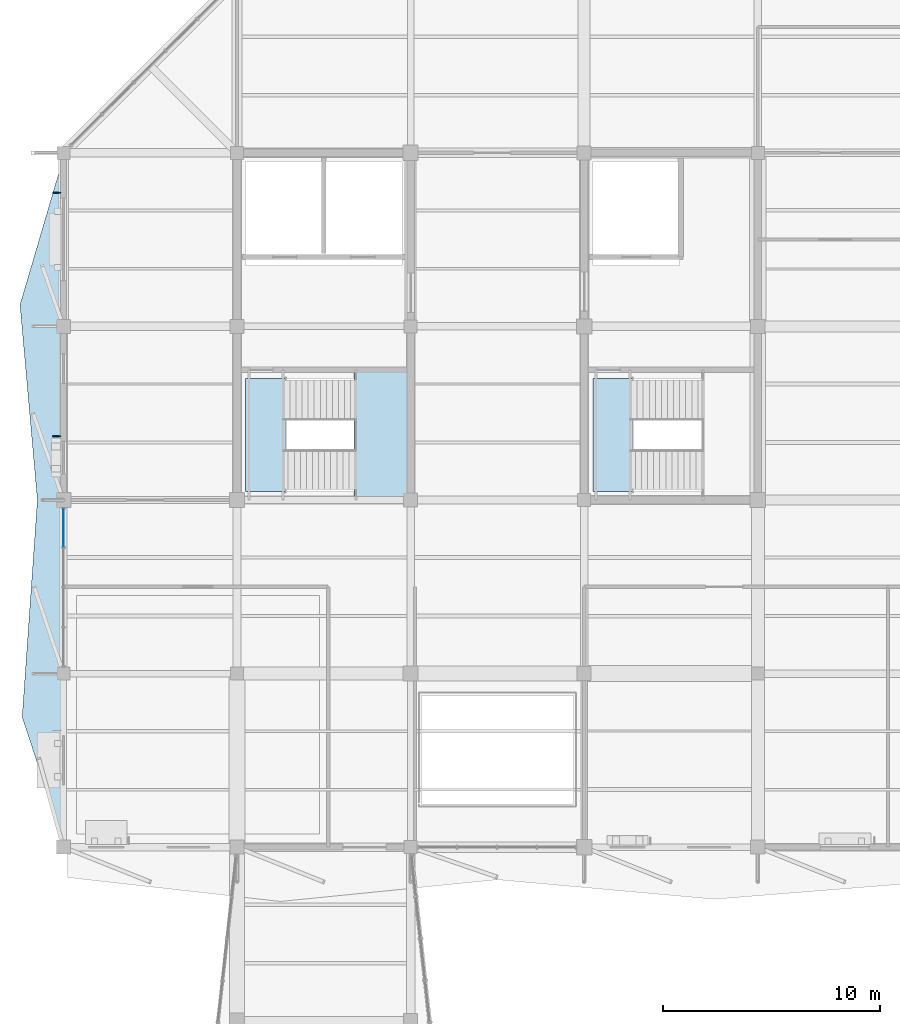
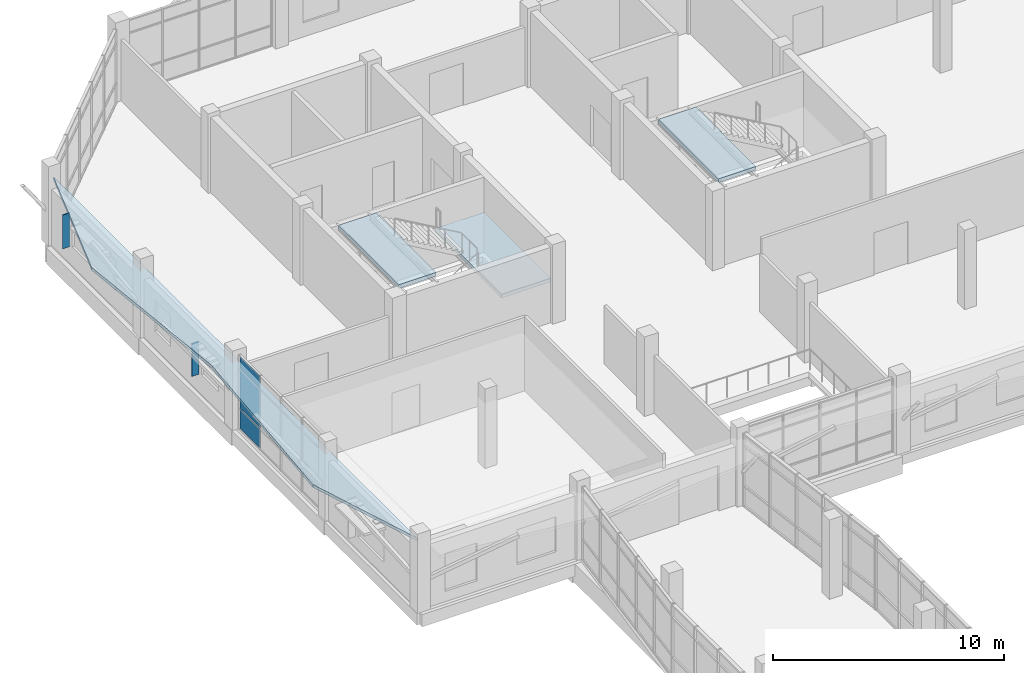
# One storey, part 60 of 84: 5 plates, 4 slabs, 3 elements without a shape of their own.
"""IFC4 building model written with IfcOpenShell, lengths in metres."""

from ifc_helpers import new_model, si_unit, direction, frame, origin, origin_2d, place, context, subcontext, project, spatial, polyline, rectangle, outline, extrude, material, layer, layer_set, type_object, element, aggregate, save


model = new_model("IFC4")

# Units and contexts
model_context = context("Model", 3, precision=1e-05, world=origin(), true_north=direction((0.0, 1.0)))
body_context = subcontext(model_context, "Body", "Model", "MODEL_VIEW")
ifc_project = project(units=[si_unit("LENGTHUNIT", "METRE"), si_unit("AREAUNIT", "SQUARE_METRE"), si_unit("VOLUMEUNIT", "CUBIC_METRE"), si_unit("PLANEANGLEUNIT", "RADIAN"), si_unit("MASSUNIT", "GRAM", prefix="KILO")], contexts=[model_context])

# Site, building, storey
site_placement = place(None, origin())
site = spatial("IfcSite", under=ifc_project, at=site_placement, CompositionType="ELEMENT")
building_placement = place(site_placement, origin())
building = spatial("IfcBuilding", under=site, at=building_placement, Name="Tenunan Teduh Sports Hall", CompositionType="ELEMENT")
storey_placement = place(building_placement, frame((0.0, 0.0, 10.800048828125)))
storey = spatial("IfcBuildingStorey", under=building, at=storey_placement, Name="L02", CompositionType="ELEMENT", Elevation=10.800048828125)

# Curtain wall, plates
ifc_material_1 = material(Name="Anodised aluminium", Category="aluminium")
curtain_wall_type = type_object("IfcCurtainWallType", Name="CW-UNIT-2", PredefinedType="NOTDEFINED", material=ifc_material_1)
curtain_wall_placement = place(storey_placement, origin())
curtain_wall = element("IfcCurtainWall", 1, at=curtain_wall_placement, inside=storey, type_object=curtain_wall_type, Name="CW-CWM-150-L02-219", PredefinedType="NOTDEFINED")
ifc_material_2 = material(Name="Solar-control laminated glazing", Category="glass")
ifc_layer_1 = layer(ifc_material_2, 0.031982421875)
ifc_layer_set_1 = layer_set([ifc_layer_1], Name="Solar-control laminated glazing")
plate_type_1 = type_object("IfcPlateType", Name="CWP-GLZ-32", PredefinedType="CURTAIN_PANEL", material=ifc_layer_set_1)
plate_1_placement = place(storey_placement, frame((6.0, 92.71630859375, 1.1298828125), z_axis=(0.0, 0.0, 1.0), x_axis=(0.0, 1.0, 0.0)))
plate_1 = element("IfcPlate", 2, at=plate_1_placement, type_object=plate_type_1, Name="CW-02 panel 4.2", PredefinedType="CURTAIN_PANEL", context=body_context, shape_type="SweptSolid", body=[
    extrude(rectangle(XDim=1.74755859375, YDim=0.031982421875, at=origin_2d()), origin(), (0.0, 0.0, 1.0), 2.0400390625),
])
plate_2_placement = place(storey_placement, frame((6.0, 92.71630859375, 3.22998046875), z_axis=(0.0, 0.0, 1.0), x_axis=(0.0, 1.0, 0.0)))
plate_2 = element("IfcPlate", 3, at=plate_2_placement, type_object=plate_type_1, Name="CW-02 panel 4.3", PredefinedType="CURTAIN_PANEL", context=body_context, shape_type="SweptSolid", body=[
    extrude(rectangle(XDim=1.74755859375, YDim=0.031982421875, at=origin_2d()), origin(), (0.0, 0.0, 1.0), 0.6298828125),
])
ifc_material_3 = material(Name="Insulated aluminium spandrel panel", Category="aluminium")
ifc_layer_2 = layer(ifc_material_3, 0.044921875)
ifc_layer_set_2 = layer_set([ifc_layer_2], Name="Insulated aluminium spandrel panel")
plate_type_2 = type_object("IfcPlateType", Name="CWP-SPN-45", PredefinedType="CURTAIN_PANEL", material=ifc_layer_set_2)
plate_3_placement = place(storey_placement, frame((6.0, 92.71630859375, 0.06005859375), z_axis=(0.0, 0.0, 1.0), x_axis=(0.0, 1.0, 0.0)))
plate_3 = element("IfcPlate", 4, at=plate_3_placement, type_object=plate_type_2, Name="CW-02 panel 4.1", PredefinedType="CURTAIN_PANEL", context=body_context, shape_type="SweptSolid", body=[
    extrude(rectangle(XDim=1.74755859375, YDim=0.031982421875, at=origin_2d()), origin(), (0.0, 0.0, 1.0), 1.010009765625),
])
aggregate(curtain_wall, [plate_3, plate_1, plate_2])

# Plates
ifc_material_4 = material(Name="Anodised aluminium", Category="aluminium")
ifc_layer_3 = layer(ifc_material_4, 1.89990234375)
ifc_layer_set_3 = layer_set([ifc_layer_3], Name="Anodised aluminium")
plate_type_3 = type_object("IfcPlateType", Name="PLT-FIN-1", PredefinedType="SHEET", material=ifc_layer_set_3)
plate_4_placement = place(storey_placement, frame((5.695068359375, 96.93994140625, 0.93017578125), z_axis=(0.0, 0.0, 1.0), x_axis=(0.0, 1.0, 0.0)))
element("IfcPlate", 5, at=plate_4_placement, inside=storey, type_object=plate_type_3, Name="PLT-FIN-L02-051", PredefinedType="SHEET", context=body_context, shape_type="SweptSolid", body=[
    extrude(rectangle(XDim=0.0400390625, YDim=0.360107421875, at=origin_2d()), origin(), (0.0, 0.0, 1.0), 1.739990234375),
])
plate_5_placement = place(storey_placement, frame((5.699951171875, 108.155029296875, 0.8798828125), z_axis=(0.0, 0.0, 1.0), x_axis=(0.0, 1.0, 0.0)))
element("IfcPlate", 6, at=plate_5_placement, inside=storey, type_object=plate_type_3, Name="PLT-FIN-L02-052", PredefinedType="SHEET", context=body_context, shape_type="SweptSolid", body=[
    extrude(rectangle(XDim=0.0400390625, YDim=0.360107421875, at=origin_2d()), origin(), (0.0, 0.0, 1.0), 1.7900390625),
])

# Stair, slabs
ifc_material_5 = material(Name="Precast concrete C40/50", Category="concrete")
stair_type = type_object("IfcStairType", Name="STR-CORE-54", PredefinedType="HALF_TURN_STAIR", material=ifc_material_5)
stair_1_placement = place(storey_placement, origin())
stair_1 = element("IfcStair", 7, at=stair_1_placement, inside=storey, type_object=stair_type, Name="STR-W1-L02", PredefinedType="HALF_TURN_STAIR")
ifc_material_6 = material(Name="Precast concrete C40/50", Category="concrete")
ifc_layer_4 = layer(ifc_material_6, 0.199951171875)
ifc_layer_set_4 = layer_set([ifc_layer_4], Name="Precast concrete C40/50")
slab_type_1 = type_object("IfcSlabType", Name="SLB-LND-200", PredefinedType="LANDING", material=ifc_layer_set_4)
slab_1_placement = place(storey_placement, frame((0.0, 0.0, 1.89990234375)))
slab_1 = element("IfcSlab", 8, at=slab_1_placement, type_object=slab_type_1, Name="ST-04 landing 1", PredefinedType="LANDING", context=body_context, shape_type="SweptSolid", body=[
    extrude(outline(polyline([(19.39990234375, 94.139892578125), (21.860107421875, 94.139892578125), (21.860107421875, 99.89990234375), (19.39990234375, 99.89990234375), (19.39990234375, 94.139892578125)])), origin(), (0.0, 0.0, 1.0), 0.199951171875),
])
slab_2_placement = place(storey_placement, frame((0.0, 0.0, 4.0)))
slab_2 = element("IfcSlab", 9, at=slab_2_placement, type_object=slab_type_1, Name="ST-04 landing 2", PredefinedType="LANDING", context=body_context, shape_type="SweptSolid", body=[
    extrude(outline(polyline([(14.39990234375, 94.39990234375), (16.280029296875, 94.39990234375), (16.280029296875, 99.60009765625), (14.39990234375, 99.60009765625), (14.39990234375, 94.39990234375)])), origin(), (0.0, 0.0, 1.0), 0.199951171875),
])
aggregate(stair_1, [slab_1, slab_2])

# Stair, slab
stair_2_placement = place(storey_placement, origin())
stair_2 = element("IfcStair", 10, at=stair_2_placement, inside=storey, type_object=stair_type, Name="STR-W2-L02", PredefinedType="HALF_TURN_STAIR")
slab_3_placement = place(storey_placement, frame((0.0, 0.0, 4.0)))
slab_3 = element("IfcSlab", 11, at=slab_3_placement, type_object=slab_type_1, Name="ST-09 landing 2", PredefinedType="LANDING", context=body_context, shape_type="SweptSolid", body=[
    extrude(outline(polyline([(30.39990234375, 94.39990234375), (32.280029296875, 94.39990234375), (32.280029296875, 99.60009765625), (30.39990234375, 99.60009765625), (30.39990234375, 94.39990234375)])), origin(), (0.0, 0.0, 1.0), 0.199951171875),
])
aggregate(stair_2, [slab_3])

# Slab
ifc_material_7 = material(Name="Concrete C40/50", Category="concrete")
ifc_layer_5 = layer(ifc_material_7, 0.159912109375)
ifc_layer_set_5 = layer_set([ifc_layer_5], Name="Concrete C40/50")
slab_type_2 = type_object("IfcSlabType", Name="SLB-ROOF-160", PredefinedType="ROOF", material=ifc_layer_set_5)
slab_4_placement = place(storey_placement, frame((0.0, 0.0, 3.389892578125)))
element("IfcSlab", 12, at=slab_4_placement, inside=storey, type_object=slab_type_2, Name="Window Head Sun-Shade Hood SHD-RIB-V5W-W-L02", PredefinedType="ROOF", context=body_context, shape_type="SweptSolid", body=[
    extrude(outline(polyline([(6.0, 78.199951171875), (4.10009765625, 84.0), (4.800048828125, 94.0), (4.0, 103.0), (6.0, 109.800048828125), (6.0, 78.199951171875)])), origin(), (0.0, 0.0, 1.0), 0.16015625),
])

save(model, "model.ifc")
